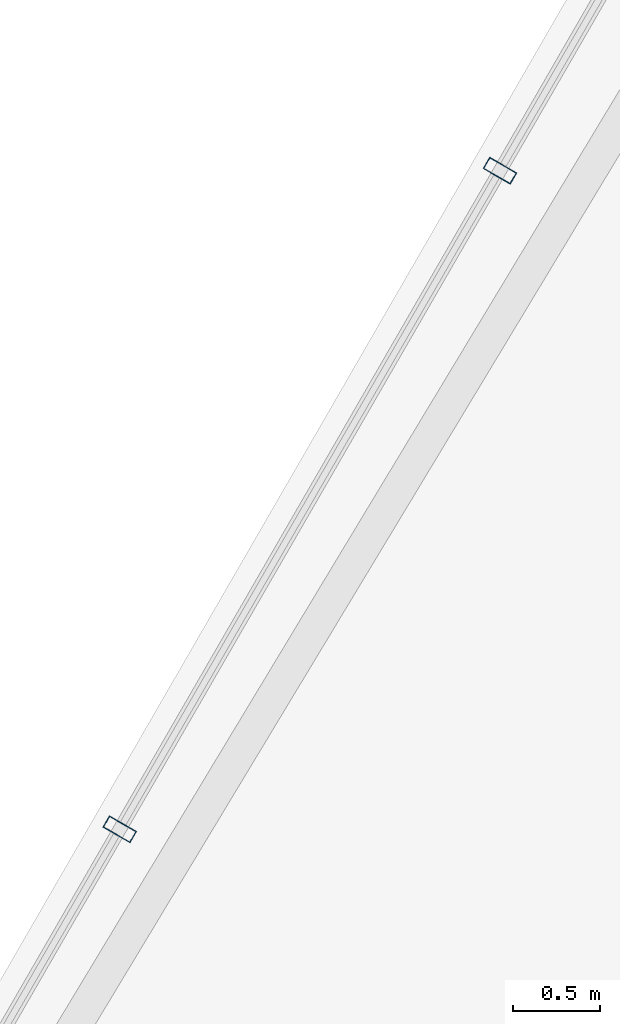
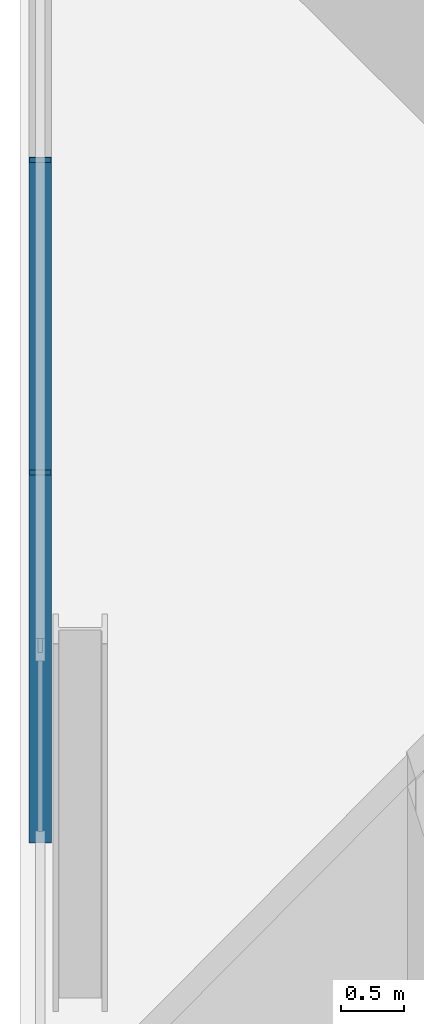
# One storey, part 12 of 29: 2 members, 1 element without a shape of its own.
"""IFC4 building model written with IfcOpenShell, lengths in metres."""

import ifcopenshell
import ifcopenshell.guid

model = None  # the IFC model being written
_history = None  # IfcOwnerHistory: only IFC2X3 demands one
_inside = {}  # id of a spatial element -> (the spatial element, [elements in it])
_under = {}  # id of a project, library or spatial element -> (it, [spatial elements below it])
_declared = {}  # id of a project -> (the project, [libraries it declares])
_typed = {}  # id of a type object -> (the type object, [elements of that type])
_made_of = {}  # id of a material, layer set ... -> (it, [elements and type objects made of it])


def new_model(schema):
    """Start an empty IFC model of exactly this schema.

    Asked for "IFC4X3", IfcOpenShell would pick the latest addendum, in which some entities
    have other attributes; the version numbers below select the first issue.
    IFC2X3 requires an IfcOwnerHistory on every rooted entity: one is made here for all.
    """
    global model, _history
    if schema == "IFC4X3":
        model = ifcopenshell.file(schema_version=(4, 3, 0, 0))
    else:
        model = ifcopenshell.file(schema=schema)
    _inside.clear()
    _under.clear()
    _declared.clear()
    _typed.clear()
    _made_of.clear()
    _history = None
    if model.schema == "IFC2X3":
        org = make("IfcOrganization", Name="unknown")
        user = make(
            "IfcPersonAndOrganization",
            ThePerson=make("IfcPerson", FamilyName="unknown"),
            TheOrganization=org,
        )
        app = make(
            "IfcApplication",
            ApplicationDeveloper=org,
            Version="unknown",
            ApplicationFullName="unknown",
            ApplicationIdentifier="unknown",
        )
        _history = make(
            "IfcOwnerHistory",
            OwningUser=user,
            OwningApplication=app,
            ChangeAction="ADDED",
            CreationDate=0,
        )
    return model


def make(cls, **values):
    """One entity of the class cls with the attributes given. An attribute that is None is left unset."""
    return model.create_entity(
        cls, **{name: value for name, value in values.items() if value is not None}
    )


def rooted(cls, **values):
    """An entity with a GlobalId (a new one), such as an element, a storey or a relation."""
    return make(cls, GlobalId=ifcopenshell.guid.new(), OwnerHistory=_history, **values)


def si_unit(unit_type, name, prefix=None):
    """IfcSIUnit, for example si_unit("LENGTHUNIT", "METRE", prefix="MILLI")."""
    return make("IfcSIUnit", UnitType=unit_type, Prefix=prefix, Name=name)


def assignment(units):
    """IfcUnitAssignment: the units of a project."""
    return None if units is None else make("IfcUnitAssignment", Units=units)


def point(xyz):
    """IfcCartesianPoint."""
    return None if xyz is None else make("IfcCartesianPoint", Coordinates=xyz)


def direction(xyz):
    """IfcDirection."""
    return None if xyz is None else make("IfcDirection", DirectionRatios=xyz)


def frame(location, z_axis=None, x_axis=None):
    """IfcAxis2Placement3D, a coordinate frame: its origin and axes. An axis left out is left unset."""
    return make(
        "IfcAxis2Placement3D",
        Location=point(location),
        Axis=direction(z_axis),
        RefDirection=direction(x_axis),
    )


def frame_2d(location, x_axis=None):
    """IfcAxis2Placement2D, a coordinate frame in the plane: its origin and x axis."""
    return make(
        "IfcAxis2Placement2D", Location=point(location), RefDirection=direction(x_axis)
    )


def origin():
    """The frame at (0, 0, 0) with its axes left unset."""
    return frame((0.0, 0.0, 0.0))


def origin_2d():
    """The frame at (0, 0) in the plane with its x axis left unset."""
    return frame_2d((0.0, 0.0))


def place(relative_to, where):
    """IfcLocalPlacement: puts the frame where relative to a parent placement (None: the world)."""
    return make(
        "IfcLocalPlacement", PlacementRelTo=relative_to, RelativePlacement=where
    )


def context(
    kind, dimensions, precision=None, world=None, true_north=None, identifier=None
):
    """IfcGeometricRepresentationContext, for example the 3D "Model" context."""
    return make(
        "IfcGeometricRepresentationContext",
        ContextIdentifier=identifier,
        ContextType=kind,
        CoordinateSpaceDimension=dimensions,
        Precision=precision,
        WorldCoordinateSystem=world,
        TrueNorth=true_north,
    )


def subcontext(parent, identifier, kind, view, scale=None):
    """IfcGeometricRepresentationSubContext, for example "Body" below "Model"."""
    return make(
        "IfcGeometricRepresentationSubContext",
        ContextIdentifier=identifier,
        ContextType=kind,
        ParentContext=parent,
        TargetScale=scale,
        TargetView=view,
    )


def project(units=None, contexts=None):
    """IfcProject with its units and contexts."""
    return rooted(
        "IfcProject",
        Name="project",
        RepresentationContexts=contexts,
        UnitsInContext=assignment(units),
    )


def spatial(cls, under=None, at=None, **own):
    """A site, building, storey or space (cls), placed at a placement, below another one or the project."""
    s = rooted(cls, ObjectPlacement=at, **own)
    if under is not None:
        _under.setdefault(under.id(), (under, []))[1].append(s)
    return s


def profile(cls, at=None, kind="AREA", **sizes):
    """A parametric profile (cls). Its sizes go by their IFC names, for example OverallWidth=200.0."""
    return make(cls, ProfileType=kind, Position=at, **sizes)


def hollow_rectangle(**sizes):
    """IfcRectangleHollowProfileDef."""
    return profile("IfcRectangleHollowProfileDef", **sizes)


def extrude(swept, where, along, depth):
    """IfcExtrudedAreaSolid: the profile swept, set in the frame where, extruded along a direction by depth."""
    return make(
        "IfcExtrudedAreaSolid",
        SweptArea=swept,
        Position=where,
        ExtrudedDirection=direction(along),
        Depth=depth,
    )


def shape(context_of_items, identifier, shape_type, items):
    """IfcShapeRepresentation: the items that make up one representation, for example the "Body"."""
    return make(
        "IfcShapeRepresentation",
        ContextOfItems=context_of_items,
        RepresentationIdentifier=identifier,
        RepresentationType=shape_type,
        Items=items,
    )


def material(Name=None, Category=None):
    """IfcMaterial."""
    return make("IfcMaterial", Name=Name, Category=Category)


def layer(
    of_material, thickness, ventilated=None, Name=None, Category=None, Priority=None
):
    """IfcMaterialLayer: one layer of a wall or slab, of a material (None: an air gap)."""
    return make(
        "IfcMaterialLayer",
        Material=of_material,
        LayerThickness=thickness,
        IsVentilated=ventilated,
        Name=Name,
        Category=Category,
        Priority=Priority,
    )


def layer_set(layers, Name=None):
    """IfcMaterialLayerSet."""
    return make("IfcMaterialLayerSet", MaterialLayers=layers, LayerSetName=Name)


def material_profile(
    of_material, cross_section, Name=None, Category=None, Priority=None
):
    """IfcMaterialProfile: a cross section and its material."""
    return make(
        "IfcMaterialProfile",
        Name=Name,
        Material=of_material,
        Profile=cross_section,
        Priority=Priority,
        Category=Category,
    )


def profile_set(profiles, Name=None, composite=None):
    """IfcMaterialProfileSet."""
    return make(
        "IfcMaterialProfileSet",
        Name=Name,
        MaterialProfiles=profiles,
        CompositeProfile=composite,
    )


def made_of(thing, what):
    """Note that an element or type object is made of a material, layer set ...; save() writes the relation."""
    if what is not None:
        _made_of.setdefault(what.id(), (what, []))[1].append(thing)
    return thing


def type_object(cls, material=None, **own):
    """A type object (cls), such as IfcWallType, which elements share."""
    return made_of(rooted(cls, **own), material)


def element(
    cls,
    number,
    at=None,
    inside=None,
    cuts=None,
    type_object=None,
    material=None,
    context=None,
    identifier="Body",
    shape_type=None,
    held_by="IfcProductDefinitionShape",
    body=None,
    shapes=None,
    **own,
):
    """One element of the class cls, such as IfcWall. Its Tag is "e" and its number.

    at: its placement. inside: the storey or other place that contains it. cuts: it is an
    opening in that element (IfcRelVoidsElement). A single representation is given by context,
    identifier, shape_type and body (its items); several are given by shapes. held_by: the class
    of the entity that holds the representations. save() writes the other relations.
    """
    e = rooted(cls, Tag="e%d" % number, ObjectPlacement=at, **own)
    if body is not None:
        shapes = [shape(context, identifier, shape_type, body)]
    if shapes is not None:
        e.Representation = make(held_by, Representations=shapes)
    if inside is not None:
        _inside.setdefault(inside.id(), (inside, []))[1].append(e)
    if cuts is not None:
        rooted(
            "IfcRelVoidsElement", RelatingBuildingElement=cuts, RelatedOpeningElement=e
        )
    if type_object is not None:
        _typed.setdefault(type_object.id(), (type_object, []))[1].append(e)
    return made_of(e, material)


def aggregate(whole, parts):
    """IfcRelAggregates: a whole, such as a stair, and the parts it consists of."""
    return rooted("IfcRelAggregates", RelatingObject=whole, RelatedObjects=parts)


def save(model, path):
    """Write the relations noted so far, then the file.

    IfcRelAggregates (storeys below a building ...), IfcRelContainedInSpatialStructure (elements
    in a storey), IfcRelDefinesByType, IfcRelAssociatesMaterial and IfcRelDeclares: one each for
    every whole, place, type object, material and project.
    """
    for whole, parts in _under.values():
        aggregate(whole, parts)
    for where, things in _inside.values():
        rooted(
            "IfcRelContainedInSpatialStructure",
            RelatedElements=things,
            RelatingStructure=where,
        )
    for kind, things in _typed.values():
        rooted("IfcRelDefinesByType", RelatedObjects=things, RelatingType=kind)
    for what, things in _made_of.values():
        rooted("IfcRelAssociatesMaterial", RelatedObjects=things, RelatingMaterial=what)
    for by, libraries in _declared.values():
        rooted("IfcRelDeclares", RelatingContext=by, RelatedDefinitions=libraries)
    model.write(path)


model = new_model("IFC4")

# Units and contexts
model_context = context("Model", 3, precision=1e-05, world=origin(), true_north=direction((0.0, 1.0)))
body_context = subcontext(model_context, "Body", "Model", "MODEL_VIEW")
ifc_project = project(units=[si_unit("LENGTHUNIT", "METRE"), si_unit("AREAUNIT", "SQUARE_METRE"), si_unit("VOLUMEUNIT", "CUBIC_METRE"), si_unit("PLANEANGLEUNIT", "RADIAN"), si_unit("MASSUNIT", "GRAM", prefix="KILO")], contexts=[model_context])

# Site, building, storey
site_placement = place(None, origin())
site = spatial("IfcSite", under=ifc_project, at=site_placement, CompositionType="ELEMENT")
building_placement = place(site_placement, origin())
building = spatial("IfcBuilding", under=site, at=building_placement, Name="Ndaravel Arena Tower", CompositionType="ELEMENT")
storey_placement = place(building_placement, frame((0.0, 0.0, 233.199951171875)))
storey = spatial("IfcBuildingStorey", under=building, at=storey_placement, Name="L56", CompositionType="ELEMENT", Elevation=233.199951171875)

# Curtain wall, members
ifc_material_1 = material(Name="Aluminium", Category="aluminium")
ifc_layer = layer(ifc_material_1, 0.179931640625)
ifc_layer_set = layer_set([ifc_layer], Name="Aluminium")
curtain_wall_type = type_object("IfcCurtainWallType", Name="CW-SYS-03", PredefinedType="NOTDEFINED", material=ifc_layer_set)
curtain_wall_placement = place(storey_placement, origin())
curtain_wall = element("IfcCurtainWall", 1, at=curtain_wall_placement, inside=storey, type_object=curtain_wall_type, Name="L56 Faceted Crystal Curtain Wall CW-L56-E05", PredefinedType="NOTDEFINED")
ifc_material_2 = material(Name="Aluminium", Category="aluminium")
ifc_material_profile = material_profile(ifc_material_2, hollow_rectangle(XDim=0.074951171875, YDim=0.179931640625, WallThickness=0.00390625, at=origin_2d()), Name="CW MULLION 75x180x4")
ifc_profile_set = profile_set([ifc_material_profile], Name="Aluminium")
member_type = type_object("IfcMemberType", Name="MEM-CW-MUL180", PredefinedType="MULLION", material=ifc_profile_set)
member_1_placement = place(storey_placement, frame((31.87744140625, 33.990966796875, 0.0), z_axis=(0.0, 0.0, 1.0), x_axis=(-0.5, -0.866025403784, 0.0)))
member_1 = element("IfcMember", 2, at=member_1_placement, type_object=member_type, Name="CW-L56-E05 Mullion 03", PredefinedType="MULLION", context=body_context, shape_type="SweptSolid", body=[
    extrude(hollow_rectangle(XDim=0.074951171875, YDim=0.179931640625, WallThickness=0.00390625, at=origin_2d()), origin(), (0.0, 0.0, 1.0), 3.580078125),
])
member_2_placement = place(storey_placement, frame((29.703125, 30.224853515625, 0.0), z_axis=(0.0, 0.0, 1.0), x_axis=(-0.5, -0.866025403784, 0.0)))
member_2 = element("IfcMember", 3, at=member_2_placement, type_object=member_type, Name="CW-L56-E05 Mullion 04", PredefinedType="MULLION", context=body_context, shape_type="SweptSolid", body=[
    extrude(hollow_rectangle(XDim=0.074951171875, YDim=0.179931640625, WallThickness=0.00390625, at=origin_2d()), origin(), (0.0, 0.0, 1.0), 3.580078125),
])
aggregate(curtain_wall, [member_1, member_2])

save(model, "model.ifc")
